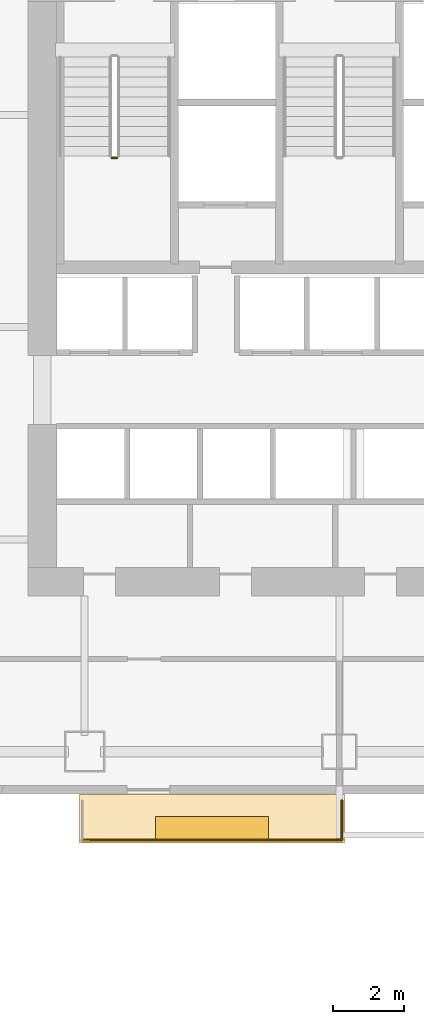
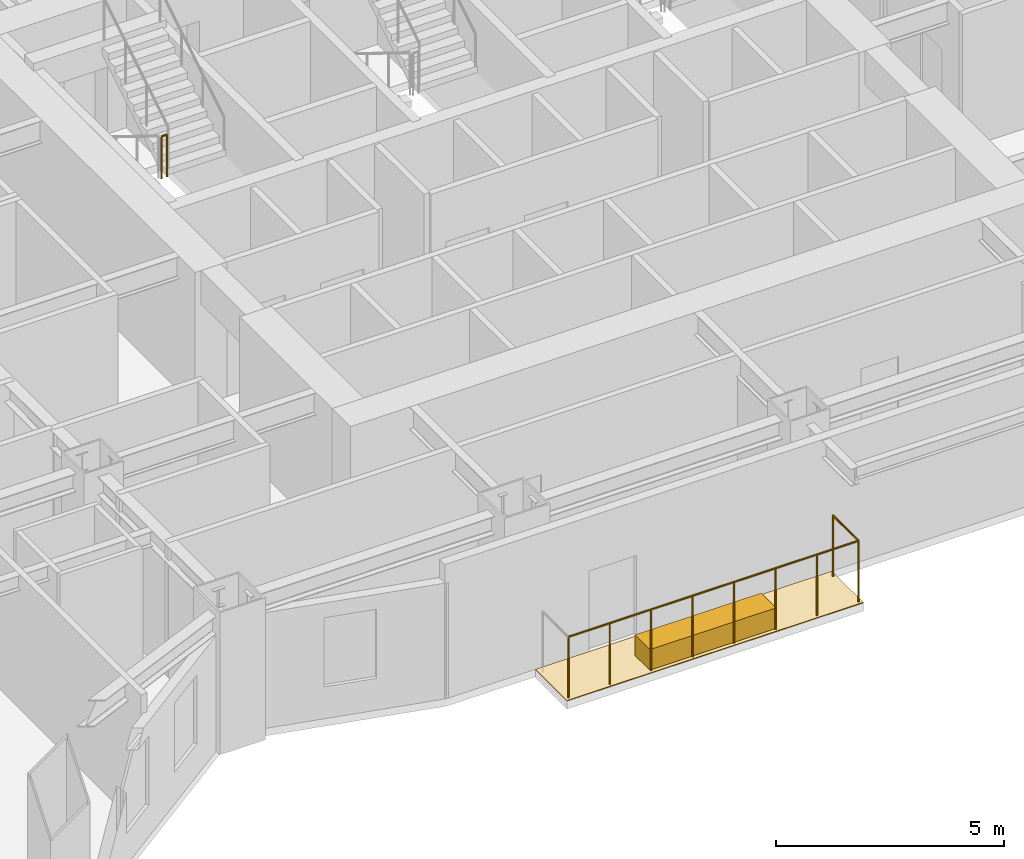
# One storey, part 14 of 17: 2 coverings, 2 railings.
"""IFC4 building model written with IfcOpenShell, lengths in metres."""

from ifc_helpers import new_model, si_unit, direction, frame, origin, origin_2d, place, context, subcontext, project, spatial, polyline, rectangle, circle, outline, extrude, material, layer, layer_set, type_object, element, save


model = new_model("IFC4")

# Units and contexts
model_context = context("Model", 3, precision=1e-05, world=origin(), true_north=direction((0.0, 1.0)))
body_context = subcontext(model_context, "Body", "Model", "MODEL_VIEW")
ifc_project = project(units=[si_unit("LENGTHUNIT", "METRE"), si_unit("AREAUNIT", "SQUARE_METRE"), si_unit("VOLUMEUNIT", "CUBIC_METRE"), si_unit("PLANEANGLEUNIT", "RADIAN"), si_unit("MASSUNIT", "GRAM", prefix="KILO")], contexts=[model_context])

# Site, building, storey
site_placement = place(None, origin())
site = spatial("IfcSite", under=ifc_project, at=site_placement, CompositionType="ELEMENT")
building_placement = place(site_placement, origin())
building = spatial("IfcBuilding", under=site, at=building_placement, Name="Haolan Belvedere Tower", CompositionType="ELEMENT")
storey_placement = place(building_placement, frame((0.0, 0.0, 55.199951171875)))
storey = spatial("IfcBuildingStorey", under=building, at=storey_placement, Name="L13", CompositionType="ELEMENT", Elevation=55.199951171875)

# Coverings
ifc_material_1 = material(Name="Engineered lightweight planted garden soil substrate", Category="masonry")
ifc_layer_1 = layer(ifc_material_1, 0.550048828125, Name="Engineered lightweight planted garden soil substrate")
ifc_layer_set_1 = layer_set([ifc_layer_1], Name="Engineered lightweight planted garden soil substrate")
covering_type_1 = type_object("IfcCoveringType", Name="COV-PLANT-550", PredefinedType="MEMBRANE", material=ifc_layer_set_1)
covering_1_placement = place(storey_placement, frame((34.800048828125, 19.43994140625, 0.0), z_axis=(0.0, 0.0, 1.0), x_axis=(1.0, 0.0, 0.0)))
element("IfcCovering", 1, at=covering_1_placement, inside=storey, type_object=covering_type_1, Name="L13 structural tree balcony PLANTER box 1", PredefinedType="MEMBRANE", context=body_context, shape_type="SweptSolid", body=[
    extrude(rectangle(XDim=3.199951171875, YDim=0.64990234375, at=origin_2d()), origin(), (0.0, 0.0, 1.0), 0.550048828125),
])
ifc_material_2 = material(Name="Elastomeric waterproof roofing membrane and stone pavers", Category="masonry")
ifc_layer_2 = layer(ifc_material_2, 0.02001953125, Name="Elastomeric waterproof roofing membrane and stone pavers")
ifc_layer_set_2 = layer_set([ifc_layer_2], Name="Elastomeric waterproof roofing membrane and stone pavers")
covering_type_2 = type_object("IfcCoveringType", Name="COV-ROOF-20", PredefinedType="ROOFING", material=ifc_layer_set_2)
covering_2_placement = place(storey_placement, frame((0.0, 0.0, -0.02001953125)))
element("IfcCovering", 2, at=covering_2_placement, inside=storey, type_object=covering_type_2, Name="L13 tree-balcony waterproof membrane 1", PredefinedType="ROOFING", context=body_context, shape_type="SweptSolid", body=[
    extrude(outline(polyline([(31.050048828125, 19.02001953125), (38.550048828125, 19.02001953125), (38.550048828125, 20.39990234375), (31.050048828125, 20.39990234375), (31.050048828125, 19.02001953125)])), origin(), (0.0, 0.0, 1.0), 0.02001953125),
])

# Railings
ifc_material_3 = material(Name="Brushed stainless steel 304", Category="steel")
railing_type_1 = type_object("IfcRailingType", Name="RL-STAIR-GRD-1150", PredefinedType="GUARDRAIL", material=ifc_material_3)
railing_1_placement = place(storey_placement, frame((31.969970703125, 38.3798828125, 1.900146484375)))
element("IfcRailing", 3, at=railing_1_placement, inside=storey, type_object=railing_type_1, Name="L13 ST1 stair guard 2", PredefinedType="GUARDRAIL", context=body_context, shape_type="SweptSolid", body=[
    extrude(circle(Radius=0.02392578125, at=origin_2d()), frame((0.0, 0.0, 1.1259765625), z_axis=(1.0, 0.0, 0.0), x_axis=(0.0, 1.0, 0.0)), (0.0, 0.0, 1.0), 0.14013671875),
    extrude(circle(Radius=0.02099609375, at=origin_2d()), origin(), (0.0, 0.0, 1.0), 1.101806640625),
    extrude(circle(Radius=0.02099609375, at=origin_2d()), frame((0.14013671875, 0.0, 0.0)), (0.0, 0.0, 1.0), 1.101806640625),
])
ifc_material_4 = material(Name="Anodised aluminium and laminated glass balustrade", Category="aluminium")
railing_type_2 = type_object("IfcRailingType", Name="RL-TER-BAL-1150", PredefinedType="BALUSTRADE", material=ifc_material_4)
railing_2_placement = place(storey_placement, frame((38.469970703125, 20.219970703125, 0.0)))
element("IfcRailing", 4, at=railing_2_placement, inside=storey, type_object=railing_type_2, Name="L13 outdoor perimeter balustrade BAL-L13-1-2", PredefinedType="BALUSTRADE", context=body_context, shape_type="SweptSolid", body=[
    extrude(circle(Radius=0.02392578125, at=origin_2d()), frame((0.0, 0.0, 1.6259765625), z_axis=(0.0, -1.0, 0.0), x_axis=(1.0, 0.0, 0.0)), (0.0, 0.0, 1.0), 1.119873046875),
    extrude(circle(Radius=0.02392578125, at=origin_2d()), frame((0.0, -1.119873046875, 1.6259765625), z_axis=(-1.0, 0.0, 0.0), x_axis=(0.0, -1.0, 0.0)), (0.0, 0.0, 1.0), 7.340087890625),
    extrude(circle(Radius=0.02099609375, at=origin_2d()), origin(), (0.0, 0.0, 1.0), 1.601806640625),
    extrude(circle(Radius=0.02099609375, at=origin_2d()), frame((0.0, -1.119873046875, 0.0)), (0.0, 0.0, 1.0), 1.601806640625),
    extrude(circle(Radius=0.02099609375, at=origin_2d()), frame((-1.048583984375, -1.119873046875, 0.0)), (0.0, 0.0, 1.0), 1.601806640625),
    extrude(circle(Radius=0.02099609375, at=origin_2d()), frame((-2.09716796875, -1.119873046875, 0.0)), (0.0, 0.0, 1.0), 1.601806640625),
    extrude(circle(Radius=0.02099609375, at=origin_2d()), frame((-3.145751953125, -1.119873046875, 0.0)), (0.0, 0.0, 1.0), 1.601806640625),
    extrude(circle(Radius=0.02099609375, at=origin_2d()), frame((-4.1943359375, -1.119873046875, 0.0)), (0.0, 0.0, 1.0), 1.601806640625),
    extrude(circle(Radius=0.02099609375, at=origin_2d()), frame((-5.242919921875, -1.119873046875, 0.0)), (0.0, 0.0, 1.0), 1.601806640625),
    extrude(circle(Radius=0.02099609375, at=origin_2d()), frame((-6.29150390625, -1.119873046875, 0.0)), (0.0, 0.0, 1.0), 1.601806640625),
    extrude(circle(Radius=0.02099609375, at=origin_2d()), frame((-7.340087890625, -1.119873046875, 0.0)), (0.0, 0.0, 1.0), 1.601806640625),
])

save(model, "model.ifc")
